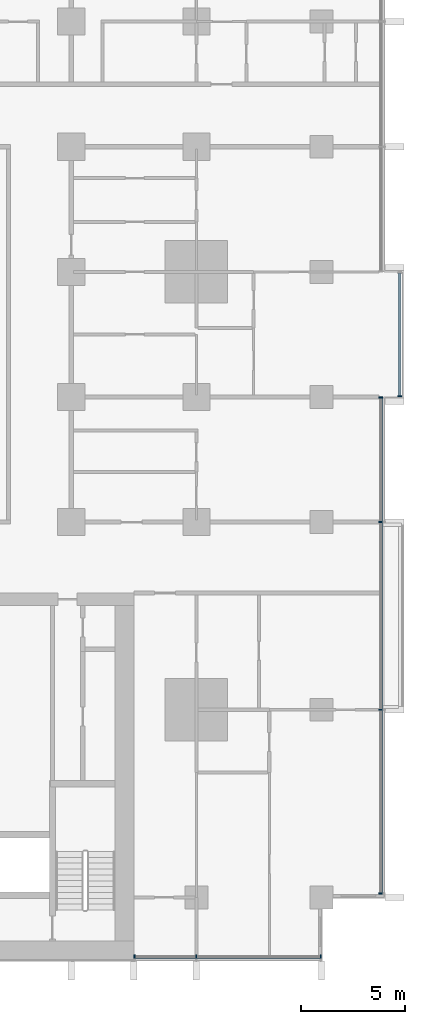
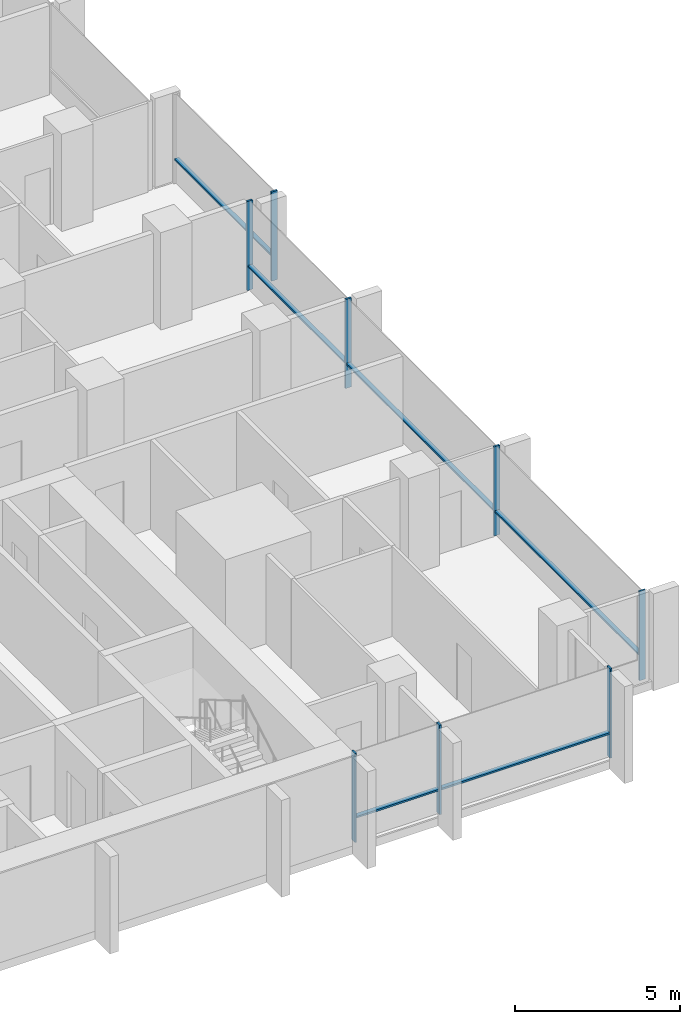
# One storey, part 3 of 18: 14 members, 3 elements without a shape of their own.
"""IFC4 building model written with IfcOpenShell, lengths in metres."""

from ifc_helpers import new_model, si_unit, direction, frame, origin, origin_2d, place, context, subcontext, project, spatial, rectangle, extrude, material, material_profile, profile_set, type_object, element, aggregate, save


model = new_model("IFC4")

# Units and contexts
model_context = context("Model", 3, precision=1e-05, world=origin(), true_north=direction((0.0, 1.0)))
body_context = subcontext(model_context, "Body", "Model", "MODEL_VIEW")
ifc_project = project(units=[si_unit("LENGTHUNIT", "METRE"), si_unit("AREAUNIT", "SQUARE_METRE"), si_unit("VOLUMEUNIT", "CUBIC_METRE"), si_unit("PLANEANGLEUNIT", "RADIAN"), si_unit("MASSUNIT", "GRAM", prefix="KILO")], contexts=[model_context])

# Site, building, storey
site_placement = place(None, origin())
site = spatial("IfcSite", under=ifc_project, at=site_placement, CompositionType="ELEMENT")
building_placement = place(site_placement, origin())
building = spatial("IfcBuilding", under=site, at=building_placement, Name="Finial Court Residences", CompositionType="ELEMENT")
storey_placement = place(building_placement, frame((0.0, 0.0, 39.699951171875)))
storey = spatial("IfcBuildingStorey", under=building, at=storey_placement, Name="L08", CompositionType="ELEMENT", Elevation=39.699951171875)

# Curtain wall, members
ifc_material = material(Name="Bronze anodised aluminium", Category="aluminium")
curtain_wall_type = type_object("IfcCurtainWallType", Name="Unitised curtain wall, lower and middle zones", PredefinedType="NOTDEFINED", material=ifc_material)
curtain_wall_1_placement = place(storey_placement, origin())
curtain_wall_1 = element("IfcCurtainWall", 1, at=curtain_wall_1_placement, inside=storey, type_object=curtain_wall_type, Name="E-L08-CW-E5", PredefinedType="NOTDEFINED")
ifc_material_profile_1 = material_profile(ifc_material, rectangle(XDim=0.199951171875, YDim=0.06494140625, at=origin_2d()), Name="CW1 mullion 65 x 200")
ifc_profile_set_1 = profile_set([ifc_material_profile_1], Name="Bronze anodised aluminium")
member_type_1 = type_object("IfcMemberType", Name="CW1 mullion 65 x 200", PredefinedType="MULLION", material=ifc_profile_set_1)
member_1_placement = place(storey_placement, frame((25.35009765625, -22.3173828125, 0.0), z_axis=(0.0, 0.0, 1.0), x_axis=(-1.0, 0.0, 0.0)))
member_1 = element("IfcMember", 2, at=member_1_placement, type_object=member_type_1, Name="CW1 mullion 1", PredefinedType="MULLION", context=body_context, shape_type="SweptSolid", body=[
    extrude(rectangle(XDim=0.199951171875, YDim=0.06494140625, at=origin_2d()), origin(), (0.0, 0.0, 1.0), 3.300048828125),
])
member_2_placement = place(storey_placement, frame((25.35009765625, -13.5, 0.0), z_axis=(0.0, 0.0, 1.0), x_axis=(-1.0, 0.0, 0.0)))
member_2 = element("IfcMember", 3, at=member_2_placement, type_object=member_type_1, Name="CW1 mullion 2", PredefinedType="MULLION", context=body_context, shape_type="SweptSolid", body=[
    extrude(rectangle(XDim=0.199951171875, YDim=0.06494140625, at=origin_2d()), origin(), (0.0, 0.0, 1.0), 3.300048828125),
])
member_3_placement = place(storey_placement, frame((25.35009765625, -4.5, 0.0), z_axis=(0.0, 0.0, 1.0), x_axis=(-1.0, 0.0, 0.0)))
member_3 = element("IfcMember", 4, at=member_3_placement, type_object=member_type_1, Name="CW1 mullion 3", PredefinedType="MULLION", context=body_context, shape_type="SweptSolid", body=[
    extrude(rectangle(XDim=0.199951171875, YDim=0.06494140625, at=origin_2d()), origin(), (0.0, 0.0, 1.0), 3.300048828125),
])
member_4_placement = place(storey_placement, frame((25.35009765625, 1.467529296875, 0.0), z_axis=(0.0, 0.0, 1.0), x_axis=(-1.0, 0.0, 0.0)))
member_4 = element("IfcMember", 5, at=member_4_placement, type_object=member_type_1, Name="CW1 mullion 4", PredefinedType="MULLION", context=body_context, shape_type="SweptSolid", body=[
    extrude(rectangle(XDim=0.199951171875, YDim=0.06494140625, at=origin_2d()), origin(), (0.0, 0.0, 1.0), 3.300048828125),
])

# Curtain wall, member
curtain_wall_2_placement = place(storey_placement, origin())
curtain_wall_2 = element("IfcCurtainWall", 6, at=curtain_wall_2_placement, inside=storey, type_object=curtain_wall_type, Name="E-L08-CW-E6", PredefinedType="NOTDEFINED")
member_5_placement = place(storey_placement, frame((26.25, 1.532470703125, 0.0), z_axis=(0.0, 0.0, 1.0), x_axis=(-1.0, 0.0, 0.0)))
member_5 = element("IfcMember", 7, at=member_5_placement, type_object=member_type_1, Name="CW1 mullion 1", PredefinedType="MULLION", context=body_context, shape_type="SweptSolid", body=[
    extrude(rectangle(XDim=0.199951171875, YDim=0.06494140625, at=origin_2d()), origin(), (0.0, 0.0, 1.0), 3.300048828125),
])

# Curtain wall, members
curtain_wall_3_placement = place(storey_placement, origin())
curtain_wall_3 = element("IfcCurtainWall", 8, at=curtain_wall_3_placement, inside=storey, type_object=curtain_wall_type, Name="E-L08-CW-S9", PredefinedType="NOTDEFINED")
member_6_placement = place(storey_placement, frame((13.532470703125, -25.35009765625, 0.0), z_axis=(0.0, 0.0, 1.0), x_axis=(0.0, 1.0, 0.0)))
member_6 = element("IfcMember", 9, at=member_6_placement, type_object=member_type_1, Name="CW1 mullion 1", PredefinedType="MULLION", context=body_context, shape_type="SweptSolid", body=[
    extrude(rectangle(XDim=0.199951171875, YDim=0.06494140625, at=origin_2d()), origin(), (0.0, 0.0, 1.0), 3.300048828125),
])
member_7_placement = place(storey_placement, frame((16.5, -25.35009765625, 0.0), z_axis=(0.0, 0.0, 1.0), x_axis=(0.0, 1.0, 0.0)))
member_7 = element("IfcMember", 10, at=member_7_placement, type_object=member_type_1, Name="CW1 mullion 2", PredefinedType="MULLION", context=body_context, shape_type="SweptSolid", body=[
    extrude(rectangle(XDim=0.199951171875, YDim=0.06494140625, at=origin_2d()), origin(), (0.0, 0.0, 1.0), 3.300048828125),
])
member_8_placement = place(storey_placement, frame((22.467529296875, -25.35009765625, 0.0), z_axis=(0.0, 0.0, 1.0), x_axis=(0.0, 1.0, 0.0)))
member_8 = element("IfcMember", 11, at=member_8_placement, type_object=member_type_1, Name="CW1 mullion 3", PredefinedType="MULLION", context=body_context, shape_type="SweptSolid", body=[
    extrude(rectangle(XDim=0.199951171875, YDim=0.06494140625, at=origin_2d()), origin(), (0.0, 0.0, 1.0), 3.300048828125),
])

# Member
ifc_material_profile_2 = material_profile(ifc_material, rectangle(XDim=0.14990234375, YDim=0.06494140625, at=origin_2d()), Name="CW1 transom 65 x 150")
ifc_profile_set_2 = profile_set([ifc_material_profile_2], Name="Bronze anodised aluminium")
member_type_2 = type_object("IfcMemberType", Name="CW1 transom 65 x 150", PredefinedType="USERDEFINED", material=ifc_profile_set_2)
member_9_placement = place(storey_placement, frame((25.35009765625, -22.284912109375, 0.900146484375), z_axis=(0.0, 1.0, 0.0), x_axis=(-1.0, 0.0, 0.0)))
member_9 = element("IfcMember", 12, at=member_9_placement, type_object=member_type_2, Name="CW1 transom 1.1", ObjectType="TRANSOM", PredefinedType="USERDEFINED", context=body_context, shape_type="SweptSolid", body=[
    extrude(rectangle(XDim=0.14990234375, YDim=0.06494140625, at=origin_2d()), origin(), (0.0, 0.0, 1.0), 8.75244140625),
])

member_10_placement = place(storey_placement, frame((25.35009765625, -13.467529296875, 0.900146484375), z_axis=(0.0, 1.0, 0.0), x_axis=(-1.0, 0.0, 0.0)))
member_10 = element("IfcMember", 13, at=member_10_placement, type_object=member_type_2, Name="CW1 transom 2.1", ObjectType="TRANSOM", PredefinedType="USERDEFINED", context=body_context, shape_type="SweptSolid", body=[
    extrude(rectangle(XDim=0.14990234375, YDim=0.06494140625, at=origin_2d()), origin(), (0.0, 0.0, 1.0), 8.93505859375),
])

member_11_placement = place(storey_placement, frame((25.35009765625, -4.467529296875, 0.900146484375), z_axis=(0.0, 1.0, 0.0), x_axis=(-1.0, 0.0, 0.0)))
member_11 = element("IfcMember", 14, at=member_11_placement, type_object=member_type_2, Name="CW1 transom 3.1", ObjectType="TRANSOM", PredefinedType="USERDEFINED", context=body_context, shape_type="SweptSolid", body=[
    extrude(rectangle(XDim=0.14990234375, YDim=0.06494140625, at=origin_2d()), origin(), (0.0, 0.0, 1.0), 5.902587890625),
])

aggregate(curtain_wall_1, [member_1, member_2, member_3, member_4, member_9, member_10, member_11])

member_12_placement = place(storey_placement, frame((26.25, 1.56494140625, 0.900146484375), z_axis=(0.0, 1.0, 0.0), x_axis=(-1.0, 0.0, 0.0)))
member_12 = element("IfcMember", 15, at=member_12_placement, type_object=member_type_2, Name="CW1 transom 1.1", ObjectType="TRANSOM", PredefinedType="USERDEFINED", context=body_context, shape_type="SweptSolid", body=[
    extrude(rectangle(XDim=0.14990234375, YDim=0.06494140625, at=origin_2d()), origin(), (0.0, 0.0, 1.0), 5.8701171875),
])

aggregate(curtain_wall_2, [member_5, member_12])

member_13_placement = place(storey_placement, frame((13.56494140625, -25.35009765625, 0.900146484375), z_axis=(1.0, 0.0, 0.0), x_axis=(0.0, 1.0, 0.0)))
member_13 = element("IfcMember", 16, at=member_13_placement, type_object=member_type_2, Name="CW1 transom 1.1", ObjectType="TRANSOM", PredefinedType="USERDEFINED", context=body_context, shape_type="SweptSolid", body=[
    extrude(rectangle(XDim=0.14990234375, YDim=0.06494140625, at=origin_2d()), origin(), (0.0, 0.0, 1.0), 2.902587890625),
])

member_14_placement = place(storey_placement, frame((16.532470703125, -25.35009765625, 0.900146484375), z_axis=(1.0, 0.0, 0.0), x_axis=(0.0, 1.0, 0.0)))
member_14 = element("IfcMember", 17, at=member_14_placement, type_object=member_type_2, Name="CW1 transom 2.1", ObjectType="TRANSOM", PredefinedType="USERDEFINED", context=body_context, shape_type="SweptSolid", body=[
    extrude(rectangle(XDim=0.14990234375, YDim=0.06494140625, at=origin_2d()), origin(), (0.0, 0.0, 1.0), 5.902587890625),
])

aggregate(curtain_wall_3, [member_6, member_7, member_8, member_13, member_14])

save(model, "model.ifc")
